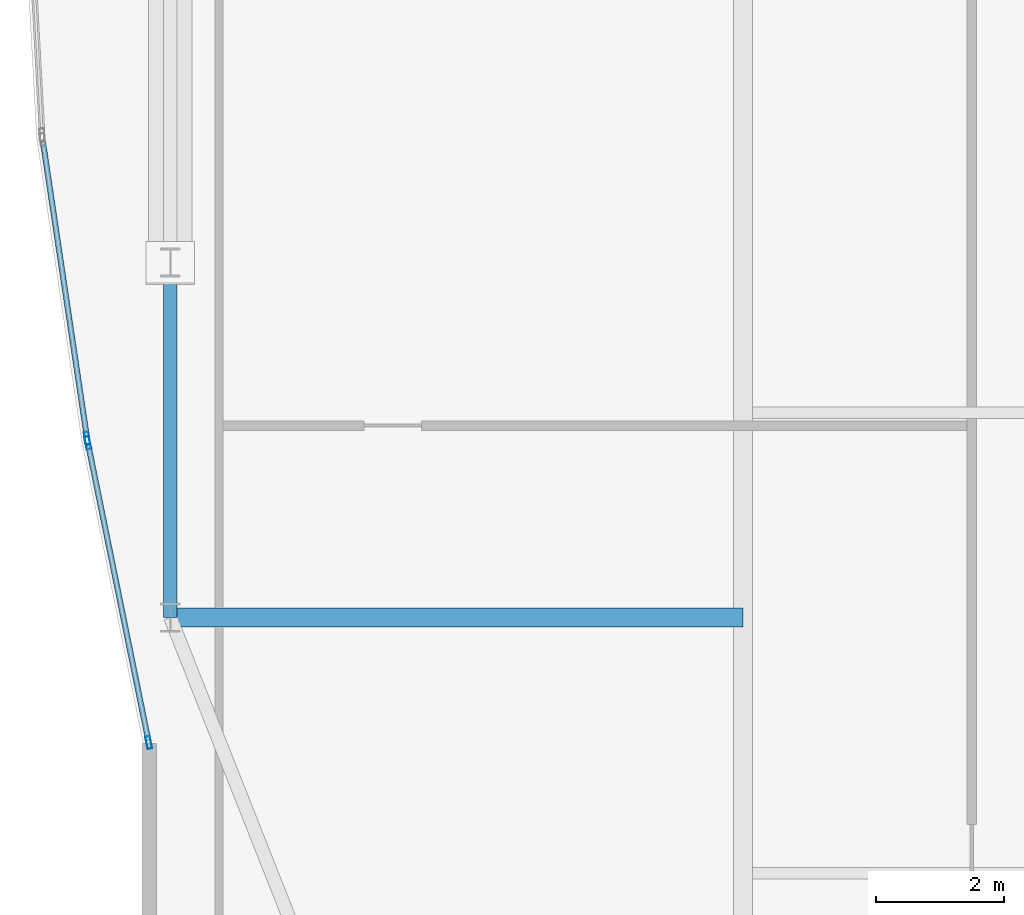
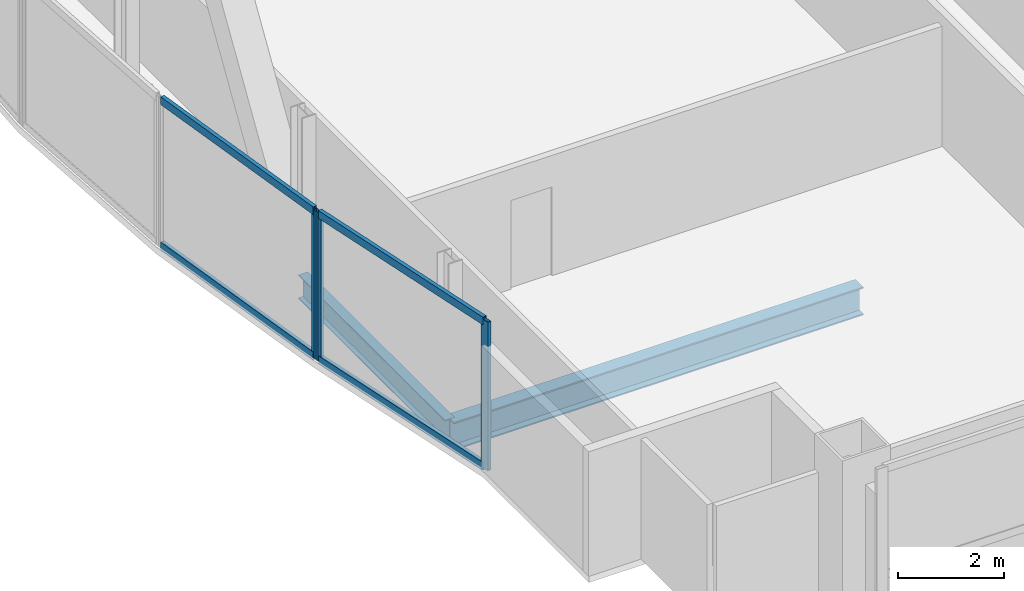
# One storey, part 6 of 31: 7 members, 2 beams, 2 elements without a shape of their own.
"""IFC4 building model written with IfcOpenShell, lengths in metres."""

from ifc_helpers import new_model, si_unit, direction, frame, origin, origin_2d, place, context, subcontext, project, spatial, hollow_rectangle, i_section, extrude, material, material_profile, profile_set, type_object, element, aggregate, save


model = new_model("IFC4")

# Units and contexts
model_context = context("Model", 3, precision=1e-05, world=origin(), true_north=direction((0.0, 1.0)))
body_context = subcontext(model_context, "Body", "Model", "MODEL_VIEW")
ifc_project = project(units=[si_unit("LENGTHUNIT", "METRE"), si_unit("AREAUNIT", "SQUARE_METRE"), si_unit("VOLUMEUNIT", "CUBIC_METRE"), si_unit("PLANEANGLEUNIT", "RADIAN"), si_unit("MASSUNIT", "GRAM", prefix="KILO")], contexts=[model_context])

# Site, building, storey
site_placement = place(None, origin())
site = spatial("IfcSite", under=ifc_project, at=site_placement, CompositionType="ELEMENT")
building_placement = place(site_placement, origin())
building = spatial("IfcBuilding", under=site, at=building_placement, Name="Khoronbel Lancet Exchange", CompositionType="ELEMENT")
storey_placement = place(building_placement, frame((0.0, 0.0, 273.39990234375)))
storey = spatial("IfcBuildingStorey", under=building, at=storey_placement, Name="L70", CompositionType="ELEMENT", Elevation=273.39990234375)

# Beams
ifc_material_1 = material(Name="Steel S355", Category="steel")
ifc_material_profile_1 = material_profile(ifc_material_1, i_section(OverallWidth=0.300048828125, OverallDepth=0.64990234375, WebThickness=0.01611328125, FlangeThickness=0.031005859375, at=origin_2d()), Name="HEB 650")
ifc_profile_set_1 = profile_set([ifc_material_profile_1], Name="Steel S355")
beam_type_1 = type_object("IfcBeamType", Name="BM-BG4", PredefinedType="BEAM", material=ifc_profile_set_1)
beam_1_placement = place(storey_placement, frame((9.27001953125, 19.199951171875, -0.48486328125), z_axis=(1.0, 0.0, 0.0), x_axis=(0.0, 1.0, 0.0)))
element("IfcBeam", 1, at=beam_1_placement, inside=storey, type_object=beam_type_1, Name="Level L70 west lens tie girder LG1W", PredefinedType="BEAM", context=body_context, shape_type="SweptSolid", body=[
    extrude(i_section(OverallWidth=0.300048828125, OverallDepth=0.64990234375, WebThickness=0.01611328125, FlangeThickness=0.031005859375, at=origin_2d()), origin(), (0.0, 0.0, 1.0), 8.955078125),
])
ifc_material_profile_2 = material_profile(ifc_material_1, i_section(OverallWidth=0.2099609375, OverallDepth=0.550048828125, WebThickness=0.010986328125, FlangeThickness=0.01708984375, at=origin_2d()), Name="IPE 550")
ifc_profile_set_2 = profile_set([ifc_material_profile_2], Name="Steel S355")
beam_type_2 = type_object("IfcBeamType", Name="BM-BSP3", PredefinedType="SPANDREL", material=ifc_profile_set_2)
beam_2_placement = place(storey_placement, frame((9.27001953125, 24.75, -0.434814453125), z_axis=(0.0, -1.0, 0.0), x_axis=(1.0, 0.0, 0.0)))
element("IfcBeam", 2, at=beam_2_placement, inside=storey, type_object=beam_type_2, Name="Level L70 perimeter spandrel beam SP20", PredefinedType="SPANDREL", context=body_context, shape_type="SweptSolid", body=[
    extrude(i_section(OverallWidth=0.2099609375, OverallDepth=0.550048828125, WebThickness=0.010986328125, FlangeThickness=0.01708984375, at=origin_2d()), origin(), (0.0, 0.0, 1.0), 5.550048828125),
])

# Curtain wall, members
ifc_material_2 = material(Name="Low-E Solar Control Insulating Glass", Category="glass")
curtain_wall_type = type_object("IfcCurtainWallType", Name="CW-4", PredefinedType="NOTDEFINED", material=ifc_material_2)
curtain_wall_1_placement = place(storey_placement, origin())
curtain_wall_1 = element("IfcCurtainWall", 3, at=curtain_wall_1_placement, inside=storey, type_object=curtain_wall_type, Name="Unitised curtain wall CW-L70-E04", PredefinedType="NOTDEFINED")
ifc_material_3 = material(Name="Bronze-Anodised Aluminium 6063-T6", Category="aluminium")
ifc_material_profile_3 = material_profile(ifc_material_3, hollow_rectangle(XDim=0.074951171875, YDim=0.199951171875, WallThickness=0.0048828125, at=origin_2d()), Name="ALU MULLION 75x200")
ifc_profile_set_3 = profile_set([ifc_material_profile_3], Name="Bronze-Anodised Aluminium 6063-T6")
member_type_1 = type_object("IfcMemberType", Name="MEM-CWM2", PredefinedType="MULLION", material=ifc_profile_set_3)
member_1_placement = place(storey_placement, frame((8.9326171875, 17.245849609375, 0.0), z_axis=(0.0, 0.0, 1.0), x_axis=(-0.979973815588, -0.199126393935, 0.0)))
member_1 = element("IfcMember", 4, at=member_1_placement, type_object=member_type_1, Name="CW4 mullion 1", PredefinedType="MULLION", context=body_context, shape_type="SweptSolid", body=[
    extrude(hollow_rectangle(XDim=0.074951171875, YDim=0.199951171875, WallThickness=0.0048828125, at=origin_2d()), origin(), (0.0, 0.0, 1.0), 3.440185546875),
])
member_2_placement = place(storey_placement, frame((7.98095703125, 21.928955078125, 0.0), z_axis=(0.0, 0.0, 1.0), x_axis=(-0.979973815588, -0.199126393935, 0.0)))
member_2 = element("IfcMember", 5, at=member_2_placement, type_object=member_type_1, Name="CW4 mullion 2", PredefinedType="MULLION", context=body_context, shape_type="SweptSolid", body=[
    extrude(hollow_rectangle(XDim=0.074951171875, YDim=0.199951171875, WallThickness=0.0048828125, at=origin_2d()), origin(), (0.0, 0.0, 1.0), 3.440185546875),
])

# Curtain wall, member
curtain_wall_2_placement = place(storey_placement, origin())
curtain_wall_2 = element("IfcCurtainWall", 6, at=curtain_wall_2_placement, inside=storey, type_object=curtain_wall_type, Name="Unitised curtain wall CW-L70-E05", PredefinedType="NOTDEFINED")
member_3_placement = place(storey_placement, frame((7.968017578125, 22.002685546875, 0.0), z_axis=(0.0, 0.0, 1.0), x_axis=(-0.989113824461, -0.147152445645, 0.0)))
member_3 = element("IfcMember", 7, at=member_3_placement, type_object=member_type_1, Name="CW4 mullion 1", PredefinedType="MULLION", context=body_context, shape_type="SweptSolid", body=[
    extrude(hollow_rectangle(XDim=0.074951171875, YDim=0.199951171875, WallThickness=0.0048828125, at=origin_2d()), origin(), (0.0, 0.0, 1.0), 3.440185546875),
])

# Member
ifc_material_profile_4 = material_profile(ifc_material_3, hollow_rectangle(XDim=0.0849609375, YDim=0.179931640625, WallThickness=0.0048828125, at=origin_2d()), Name="ALU TRANSOM 85x180")
ifc_profile_set_4 = profile_set([ifc_material_profile_4], Name="Bronze-Anodised Aluminium 6063-T6")
member_type_2 = type_object("IfcMemberType", Name="MEM-CWT1", PredefinedType="USERDEFINED", material=ifc_profile_set_4)
member_4_placement = place(storey_placement, frame((8.925048828125, 17.28271484375, 0.04248046875), z_axis=(-0.199109772854, 0.979977192772, 0.0), x_axis=(-0.979977192772, -0.199109772854, 0.0)))
member_4 = element("IfcMember", 8, at=member_4_placement, type_object=member_type_2, Name="CW4 transom 1.1", ObjectType="TRANSOM", PredefinedType="USERDEFINED", context=body_context, shape_type="SweptSolid", body=[
    extrude(hollow_rectangle(XDim=0.0849609375, YDim=0.179931640625, WallThickness=0.0048828125, at=origin_2d()), origin(), (0.0, 0.0, 1.0), 4.70361328125),
])

member_5_placement = place(storey_placement, frame((8.925048828125, 17.28271484375, 3.397705078125), z_axis=(-0.199109772854, 0.979977192772, 0.0), x_axis=(-0.979977192772, -0.199109772854, 0.0)))
member_5 = element("IfcMember", 9, at=member_5_placement, type_object=member_type_2, Name="CW4 transom 1.2", ObjectType="TRANSOM", PredefinedType="USERDEFINED", context=body_context, shape_type="SweptSolid", body=[
    extrude(hollow_rectangle(XDim=0.0849609375, YDim=0.179931640625, WallThickness=0.0048828125, at=origin_2d()), origin(), (0.0, 0.0, 1.0), 4.70361328125),
])

aggregate(curtain_wall_1, [member_1, member_2, member_4, member_5])

member_6_placement = place(storey_placement, frame((7.96240234375, 22.039794921875, 0.04248046875), z_axis=(-0.147142849108, 0.98911525211, 0.0), x_axis=(-0.98911525211, -0.147142849108, 0.0)))
member_6 = element("IfcMember", 10, at=member_6_placement, type_object=member_type_2, Name="CW4 transom 1.1", ObjectType="TRANSOM", PredefinedType="USERDEFINED", context=body_context, shape_type="SweptSolid", body=[
    extrude(hollow_rectangle(XDim=0.0849609375, YDim=0.179931640625, WallThickness=0.0048828125, at=origin_2d()), origin(), (0.0, 0.0, 1.0), 4.645751953125),
])

member_7_placement = place(storey_placement, frame((7.96240234375, 22.039794921875, 3.397705078125), z_axis=(-0.147142849108, 0.98911525211, 0.0), x_axis=(-0.98911525211, -0.147142849108, 0.0)))
member_7 = element("IfcMember", 11, at=member_7_placement, type_object=member_type_2, Name="CW4 transom 1.2", ObjectType="TRANSOM", PredefinedType="USERDEFINED", context=body_context, shape_type="SweptSolid", body=[
    extrude(hollow_rectangle(XDim=0.0849609375, YDim=0.179931640625, WallThickness=0.0048828125, at=origin_2d()), origin(), (0.0, 0.0, 1.0), 4.645751953125),
])

aggregate(curtain_wall_2, [member_3, member_6, member_7])

save(model, "model.ifc")
